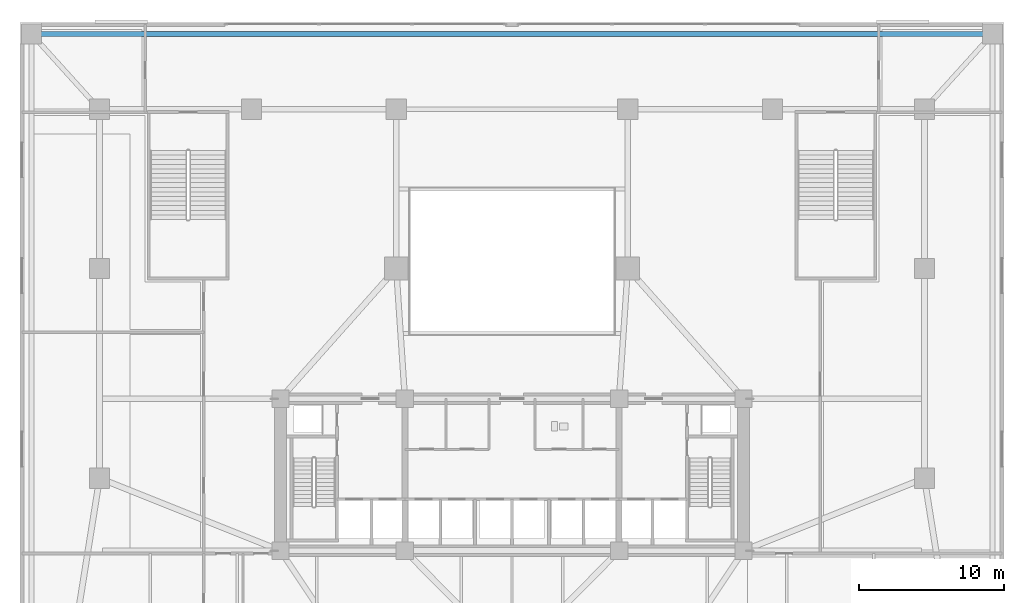
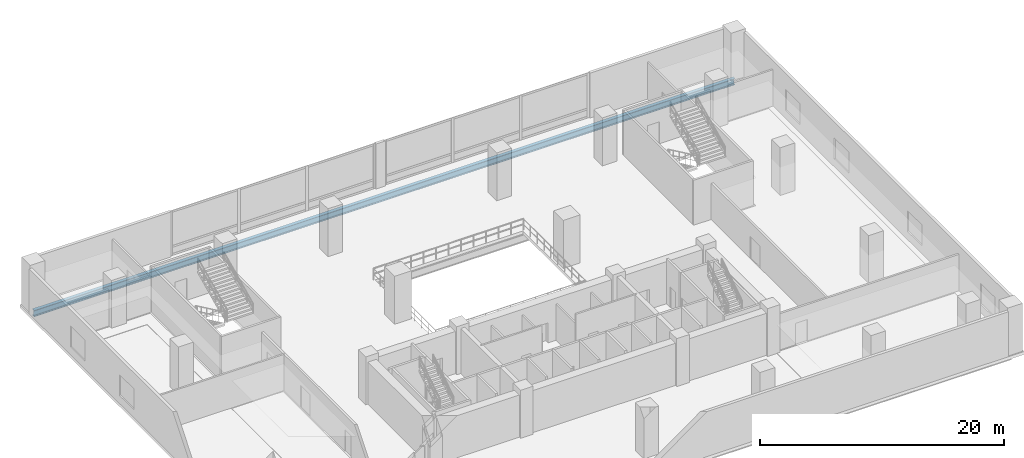
# One storey, part 3 of 15: 1 beam.
"""IFC4 building model written with IfcOpenShell, lengths in metres."""

from ifc_helpers import new_model, si_unit, direction, frame, origin, origin_2d, place, context, subcontext, project, spatial, i_section, extrude, material, material_profile, profile_set, type_object, element, save


model = new_model("IFC4")

# Units and contexts
model_context = context("Model", 3, precision=1e-05, world=origin(), true_north=direction((0.0, 1.0)))
body_context = subcontext(model_context, "Body", "Model", "MODEL_VIEW")
ifc_project = project(units=[si_unit("LENGTHUNIT", "METRE"), si_unit("AREAUNIT", "SQUARE_METRE"), si_unit("VOLUMEUNIT", "CUBIC_METRE"), si_unit("PLANEANGLEUNIT", "RADIAN"), si_unit("MASSUNIT", "GRAM", prefix="KILO")], contexts=[model_context])

# Site, building, storey
site_placement = place(None, origin())
site = spatial("IfcSite", under=ifc_project, at=site_placement, CompositionType="ELEMENT")
building_placement = place(site_placement, origin())
building = spatial("IfcBuilding", under=site, at=building_placement, Name="Solmavex Isthmus Hotel", CompositionType="ELEMENT")
storey_placement = place(building_placement, frame((0.0, 0.0, 11.39990234375)))
storey = spatial("IfcBuildingStorey", under=building, at=storey_placement, Name="L03", CompositionType="ELEMENT", Elevation=11.39990234375)

# Beam
ifc_material = material(Name="Steel ASTM A992 Grade 50", Category="steel")
ifc_material_profile = material_profile(ifc_material, i_section(OverallWidth=0.326416015625, OverallDepth=0.621826171875, WebThickness=0.015380859375, FlangeThickness=0.0244140625, FilletRadius=0.01513671875, at=origin_2d()), Name="W24X131")
ifc_profile_set = profile_set([ifc_material_profile], Name="Steel ASTM A992 Grade 50")
beam_type = type_object("IfcBeamType", Name="BM-SP-W24X131", PredefinedType="SPANDREL", material=ifc_profile_set)
beam_placement = place(storey_placement, frame((33.199951171875, 22.699951171875, -0.61083984375), z_axis=(-1.0, 0.0, 0.0), x_axis=(0.0, -1.0, 0.0)))
element("IfcBeam", 1, at=beam_placement, inside=storey, type_object=beam_type, Name="Podium Edge Spandrel L03-SP02", PredefinedType="SPANDREL", context=body_context, shape_type="SweptSolid", body=[
    extrude(i_section(OverallWidth=0.326416015625, OverallDepth=0.621826171875, WebThickness=0.015380859375, FlangeThickness=0.0244140625, FilletRadius=0.01513671875, at=origin_2d()), origin(), (0.0, 0.0, 1.0), 66.39990234375),
])

save(model, "model.ifc")
